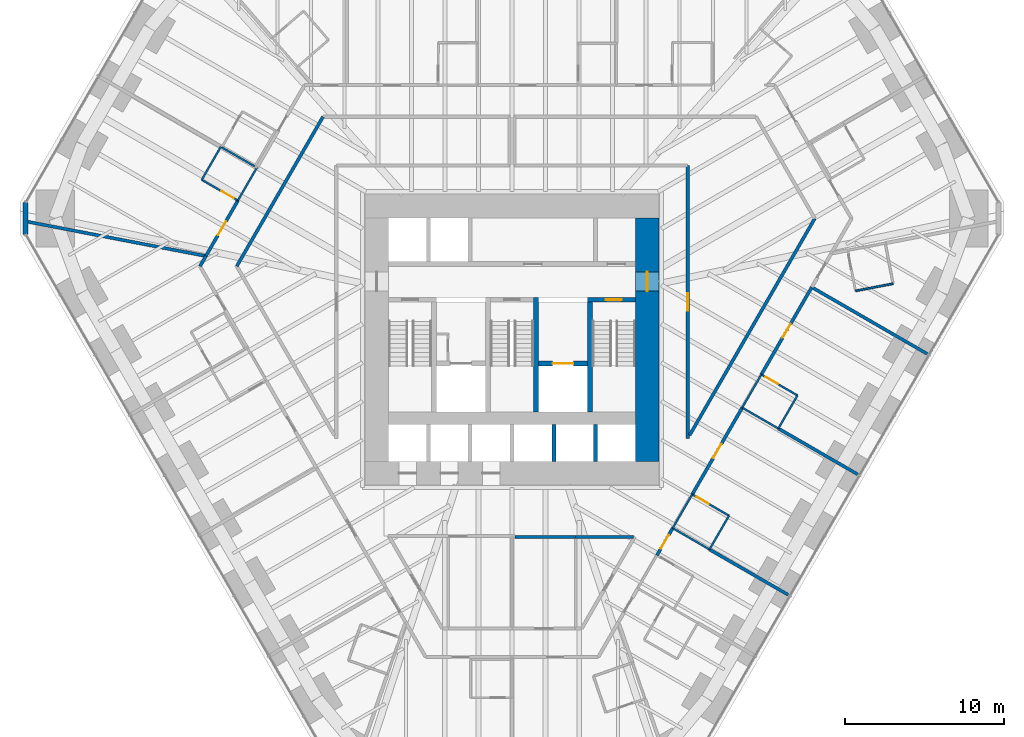
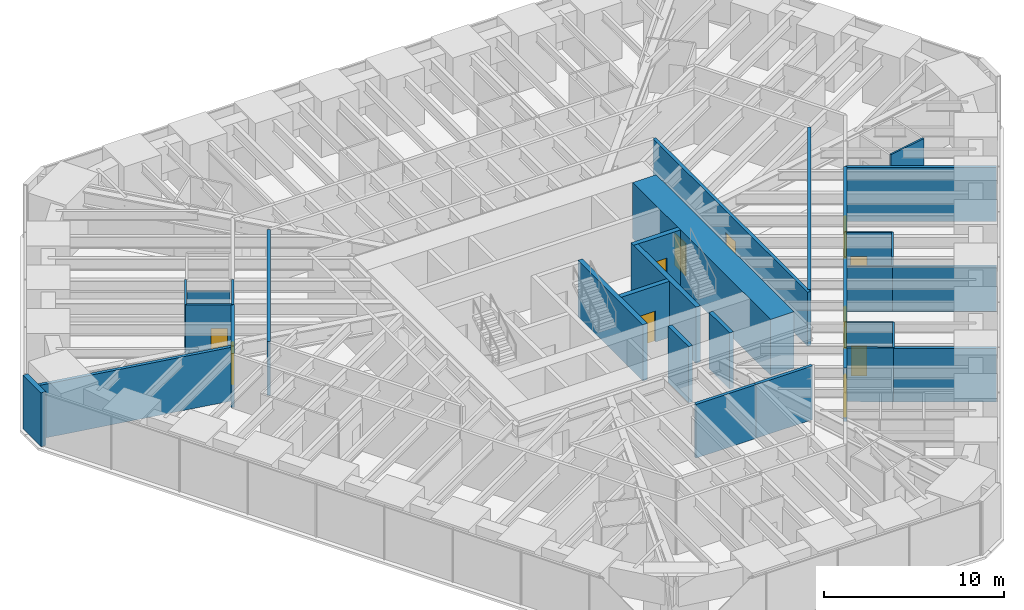
# One storey, part 13 of 17: 35 walls, 11 doors, 11 openings.
"""IFC4 building model written with IfcOpenShell, lengths in metres."""

from ifc_helpers import new_model, si_unit, direction, frame, frame_2d, origin, place, context, subcontext, project, spatial, rectangle, extrude, material, layer, layer_set, type_object, element, fill, save


model = new_model("IFC4")

# Units and contexts
model_context = context("Model", 3, precision=1e-05, world=origin(), true_north=direction((0.0, 1.0)))
body_context = subcontext(model_context, "Body", "Model", "MODEL_VIEW")
ifc_project = project(units=[si_unit("LENGTHUNIT", "METRE"), si_unit("AREAUNIT", "SQUARE_METRE"), si_unit("VOLUMEUNIT", "CUBIC_METRE"), si_unit("PLANEANGLEUNIT", "RADIAN"), si_unit("MASSUNIT", "GRAM", prefix="KILO")], contexts=[model_context])

# Site, building, storey
site_placement = place(None, origin())
site = spatial("IfcSite", under=ifc_project, at=site_placement, CompositionType="ELEMENT")
building_placement = place(site_placement, origin())
building = spatial("IfcBuilding", under=site, at=building_placement, Name="Sandreach Pilgrim Tower", CompositionType="ELEMENT")
storey_placement = place(building_placement, frame((0.0, 0.0, 34.39990234375)))
storey = spatial("IfcBuildingStorey", under=building, at=storey_placement, Name="L07", CompositionType="ELEMENT", Elevation=34.39990234375)

# Wall, opening, door
ifc_material_1 = material(Name="Moisture-resistant gypsum board on steel studs", Category="steel")
ifc_layer_1 = layer(ifc_material_1, 0.1201171875)
ifc_layer_set_1 = layer_set([ifc_layer_1], Name="Bathroom partition 120")
wall_type_1 = type_object("IfcWallType", Name="Bathroom partition 120", PredefinedType="PARTITIONING", material=ifc_layer_set_1)
wall_1_placement = place(storey_placement, frame((-19.5, 8.489990234375, 0.0), z_axis=(0.0, 0.0, 1.0), x_axis=(0.866114241029, -0.499846097802, 0.0)))
wall_1 = element("IfcWall", 1, at=wall_1_placement, inside=storey, type_object=wall_type_1, Name="Bathroom partition L07-009", PredefinedType="PARTITIONING", context=body_context, shape_type="SweptSolid", body=[
    extrude(rectangle(XDim=2.620849609375, YDim=0.1201171875, at=frame_2d((1.310546875, 0.0))), origin(), (0.0, 0.0, 1.0), 3.64013671875),
])
opening_1_placement = place(wall_1_placement, frame((1.4208984375, 0.0, 0.0)))
opening_1 = element("IfcOpeningElement", 2, at=opening_1_placement, cuts=wall_1, Name="Opening D09-18B", PredefinedType="OPENING", context=body_context, shape_type="SweptSolid", body=[
    extrude(rectangle(XDim=0.89990234375, YDim=2.030029296875, at=frame_2d((0.449951171875, 1.01513671875))), frame((0.0, 0.06005859375, 0.0), z_axis=(0.0, -1.0, 0.0), x_axis=(1.0, 0.0, 0.0)), (0.0, 0.0, 1.0), 0.1201171875),
])
ifc_material_2 = material(Name="Timber door, steel frame", Category="steel")
door_type_1 = type_object("IfcDoorType", Name="Bathroom door", OperationType="SINGLE_SWING_LEFT", PredefinedType="DOOR", material=ifc_material_2)
door_1_placement = place(opening_1_placement, origin())
door_1 = element("IfcDoor", 3, at=door_1_placement, inside=storey, type_object=door_type_1, Name="Door 0718B", OperationType="SINGLE_SWING_RIGHT", OverallHeight=2.030029296875, OverallWidth=0.89990234375, PredefinedType="DOOR", context=body_context, shape_type="SweptSolid", body=[
    extrude(rectangle(XDim=0.89990234375, YDim=2.030029296875, at=frame_2d((0.449951171875, 1.01513671875))), frame((0.0, 0.02490234375, 0.0), z_axis=(0.0, -1.0, 0.0), x_axis=(1.0, 0.0, 0.0)), (0.0, 0.0, 1.0), 0.050048828125),
])
fill(opening_1, door_1)

# Walls
wall_2_placement = place(storey_placement, frame((-18.300048828125, 10.570068359375, 0.0), z_axis=(0.0, 0.0, 1.0), x_axis=(-0.499693115345, -0.866202511239, 0.0)))
element("IfcWall", 4, at=wall_2_placement, inside=storey, type_object=wall_type_1, Name="Bathroom partition L07-013", PredefinedType="PARTITIONING", context=body_context, shape_type="SweptSolid", body=[
    extrude(rectangle(XDim=2.4013671875, YDim=0.1201171875, at=frame_2d((1.20068359375, 0.0))), origin(), (0.0, 0.0, 1.0), 3.64013671875),
])
wall_3_placement = place(storey_placement, frame((-18.239990234375, 10.530029296875, 0.0), z_axis=(0.0, 0.0, 1.0), x_axis=(0.866202511239, -0.499693115345, 0.0)))
element("IfcWall", 5, at=wall_3_placement, inside=storey, type_object=wall_type_1, Name="Bathroom partition L07-014", PredefinedType="PARTITIONING", context=body_context, shape_type="SweptSolid", body=[
    extrude(rectangle(XDim=2.4013671875, YDim=0.1201171875, at=frame_2d((1.20068359375, 0.0))), origin(), (0.0, 0.0, 1.0), 2.8603515625),
])
wall_4_placement = place(storey_placement, frame((-17.23388671875, 7.182373046875, 0.0), z_axis=(0.0, 0.0, 1.0), x_axis=(0.500719628902, 0.865609526999, 0.0)))
element("IfcWall", 6, at=wall_4_placement, inside=storey, type_object=wall_type_1, Name="Bathroom partition L07-018", PredefinedType="PARTITIONING", context=body_context, shape_type="SweptSolid", body=[
    extrude(rectangle(XDim=2.4013671875, YDim=0.1201171875, at=frame_2d((1.20068359375, 0.0))), origin(), (0.0, 0.0, 1.0), 3.64013671875),
])
wall_5_placement = place(storey_placement, frame((10.10009765625, -13.39990234375, 0.0), z_axis=(0.0, 0.0, 1.0), x_axis=(0.501856726365, 0.86495076519, 0.0)))
element("IfcWall", 7, at=wall_5_placement, inside=storey, type_object=wall_type_1, Name="Bathroom partition L07-101", PredefinedType="PARTITIONING", context=body_context, shape_type="SweptSolid", body=[
    extrude(rectangle(XDim=2.450927734375, YDim=0.1201171875, at=frame_2d((1.2255859375, 0.0))), origin(), (0.0, 0.0, 1.0), 3.64013671875),
])
wall_6_placement = place(storey_placement, frame((10.10009765625, -13.39990234375, 0.0), z_axis=(0.0, 0.0, 1.0), x_axis=(0.864966903181, -0.501828911485, 0.0)))
element("IfcWall", 8, at=wall_6_placement, inside=storey, type_object=wall_type_1, Name="Bathroom partition L07-102", PredefinedType="PARTITIONING", context=body_context, shape_type="SweptSolid", body=[
    extrude(rectangle(XDim=2.67041015625, YDim=0.1201171875, at=frame_2d((1.335205078125, 0.0))), origin(), (0.0, 0.0, 1.0), 3.64013671875),
])
wall_7_placement = place(storey_placement, frame((12.409912109375, -14.739990234375, 0.0), z_axis=(0.0, 0.0, 1.0), x_axis=(0.501813488763, 0.864975850817, 0.0)))
element("IfcWall", 9, at=wall_7_placement, inside=storey, type_object=wall_type_1, Name="Bathroom partition L07-111", PredefinedType="PARTITIONING", context=body_context, shape_type="SweptSolid", body=[
    extrude(rectangle(XDim=2.451171875, YDim=0.1201171875, at=frame_2d((1.2255859375, 0.0))), origin(), (0.0, 0.0, 1.0), 3.64013671875),
])

# Wall, opening, door
wall_8_placement = place(storey_placement, frame((13.639892578125, -12.6201171875, 0.0), z_axis=(0.0, 0.0, 1.0), x_axis=(-0.864966903181, 0.501828911485, 0.0)))
wall_8 = element("IfcWall", 10, at=wall_8_placement, inside=storey, type_object=wall_type_1, Name="Bathroom partition L07-116", PredefinedType="PARTITIONING", context=body_context, shape_type="SweptSolid", body=[
    extrude(rectangle(XDim=2.67041015625, YDim=0.1201171875, at=frame_2d((1.335205078125, 0.0))), origin(), (0.0, 0.0, 1.0), 3.64013671875),
])
opening_2_placement = place(wall_8_placement, frame((1.470458984375, 0.0, 0.0)))
opening_2 = element("IfcOpeningElement", 11, at=opening_2_placement, cuts=wall_8, Name="Opening D09-09B", PredefinedType="OPENING", context=body_context, shape_type="SweptSolid", body=[
    extrude(rectangle(XDim=0.89990234375, YDim=2.030029296875, at=frame_2d((0.449951171875, 1.01513671875))), frame((0.0, 0.06005859375, 0.0), z_axis=(0.0, -1.0, 0.0), x_axis=(1.0, 0.0, 0.0)), (0.0, 0.0, 1.0), 0.1201171875),
])
door_2_placement = place(opening_2_placement, origin())
door_2 = element("IfcDoor", 12, at=door_2_placement, inside=storey, type_object=door_type_1, Name="Door 0709B", OperationType="SINGLE_SWING_RIGHT", OverallHeight=2.030029296875, OverallWidth=0.89990234375, PredefinedType="DOOR", context=body_context, shape_type="SweptSolid", body=[
    extrude(rectangle(XDim=0.89990234375, YDim=2.030029296875, at=frame_2d((0.449951171875, 1.01513671875))), frame((0.0, 0.02490234375, 0.0), z_axis=(0.0, -1.0, 0.0), x_axis=(1.0, 0.0, 0.0)), (0.0, 0.0, 1.0), 0.050048828125),
])
fill(opening_2, door_2)

# Walls
wall_9_placement = place(storey_placement, frame((14.469970703125, -5.830078125, 0.0), z_axis=(0.0, 0.0, 1.0), x_axis=(0.499693115345, 0.866202511239, 0.0)))
element("IfcWall", 13, at=wall_9_placement, inside=storey, type_object=wall_type_1, Name="Bathroom partition L07-118", PredefinedType="PARTITIONING", context=body_context, shape_type="SweptSolid", body=[
    extrude(rectangle(XDim=2.4013671875, YDim=0.1201171875, at=frame_2d((1.20068359375, 0.0))), origin(), (0.0, 0.0, 1.0), 3.64013671875),
])
wall_10_placement = place(storey_placement, frame((14.469970703125, -5.830078125, 0.0), z_axis=(0.0, 0.0, 1.0), x_axis=(0.866010296064, -0.500026166427, 0.0)))
element("IfcWall", 14, at=wall_10_placement, inside=storey, type_object=wall_type_1, Name="Bathroom partition L07-119", PredefinedType="PARTITIONING", context=body_context, shape_type="SweptSolid", body=[
    extrude(rectangle(XDim=2.620849609375, YDim=0.1201171875, at=frame_2d((1.310546875, 0.0))), origin(), (0.0, 0.0, 1.0), 3.02294921875),
])
wall_11_placement = place(storey_placement, frame((16.739990234375, -7.139892578125, 0.0), z_axis=(0.0, 0.0, 1.0), x_axis=(0.499737123639, 0.866177122335, 0.0)))
element("IfcWall", 15, at=wall_11_placement, inside=storey, type_object=wall_type_1, Name="Bathroom partition L07-128", PredefinedType="PARTITIONING", context=body_context, shape_type="SweptSolid", body=[
    extrude(rectangle(XDim=2.401123046875, YDim=0.1201171875, at=frame_2d((1.20068359375, 0.0))), origin(), (0.0, 0.0, 1.0), 3.64013671875),
])

# Wall, opening, door
wall_12_placement = place(storey_placement, frame((17.93994140625, -5.06005859375, 0.0), z_axis=(0.0, 0.0, 1.0), x_axis=(-0.866114241029, 0.499846097802, 0.0)))
wall_12 = element("IfcWall", 16, at=wall_12_placement, inside=storey, type_object=wall_type_1, Name="Bathroom partition L07-131", PredefinedType="PARTITIONING", context=body_context, shape_type="SweptSolid", body=[
    extrude(rectangle(XDim=2.620849609375, YDim=0.1201171875, at=frame_2d((1.310546875, 0.0))), origin(), (0.0, 0.0, 1.0), 3.64013671875),
])
opening_3_placement = place(wall_12_placement, frame((1.4208984375, 0.0, 0.0)))
opening_3 = element("IfcOpeningElement", 17, at=opening_3_placement, cuts=wall_12, Name="Opening D09-08B", PredefinedType="OPENING", context=body_context, shape_type="SweptSolid", body=[
    extrude(rectangle(XDim=0.89990234375, YDim=2.030029296875, at=frame_2d((0.449951171875, 1.01513671875))), frame((0.0, 0.06005859375, 0.0), z_axis=(0.0, -1.0, 0.0), x_axis=(1.0, 0.0, 0.0)), (0.0, 0.0, 1.0), 0.1201171875),
])
door_3_placement = place(opening_3_placement, origin())
door_3 = element("IfcDoor", 18, at=door_3_placement, inside=storey, type_object=door_type_1, Name="Door 0708B", OperationType="SINGLE_SWING_RIGHT", OverallHeight=2.030029296875, OverallWidth=0.89990234375, PredefinedType="DOOR", context=body_context, shape_type="SweptSolid", body=[
    extrude(rectangle(XDim=0.89990234375, YDim=2.030029296875, at=frame_2d((0.449951171875, 1.01513671875))), frame((0.0, 0.02490234375, 0.0), z_axis=(0.0, -1.0, 0.0), x_axis=(1.0, 0.0, 0.0)), (0.0, 0.0, 1.0), 0.050048828125),
])
fill(opening_3, door_3)

# Walls
wall_13_placement = place(storey_placement, frame((21.590087890625, 1.510009765625, 0.0), z_axis=(0.0, 0.0, 1.0), x_axis=(0.982303859288, 0.187294228499, 0.0)))
element("IfcWall", 19, at=wall_13_placement, inside=storey, type_object=wall_type_1, Name="Bathroom partition L07-144", PredefinedType="PARTITIONING", context=body_context, shape_type="SweptSolid", body=[
    extrude(rectangle(XDim=2.40234375, YDim=0.1201171875, at=frame_2d((1.201171875, 0.0))), origin(), (0.0, 0.0, 1.0), 3.64013671875),
])
ifc_material_3 = material(Name="Concrete 10000 psi", Category="concrete")
ifc_layer_2 = layer(ifc_material_3, 0.300048828125)
ifc_layer_set_2 = layer_set([ifc_layer_2], Name="Core inner wall 300")
wall_type_2 = type_object("IfcWallType", Name="Core inner wall 300", PredefinedType="SHEAR", material=ifc_layer_set_2)
for number, where, z_axis, x_axis, name in (
    (20, (1.5, -6.10009765625, 0.0), (0.0, 0.0, 1.0), (0.0, 1.0, 0.0), "Core wall I2 L07"),
    (21, (4.89990234375, -6.10009765625, 0.0), (0.0, 0.0, 1.0), (0.0, 1.0, 0.0), "Core wall I3 L07"),
):
    element("IfcWall", number, at=place(storey_placement, frame(where, z_axis=z_axis, x_axis=x_axis)), inside=storey, type_object=wall_type_2, Name=name, PredefinedType="SHEAR", context=body_context, shape_type="SweptSolid", body=[
        extrude(rectangle(XDim=7.2001953125, YDim=0.300048828125, at=frame_2d((3.60009765625, 0.0))), origin(), (0.0, 0.0, 1.0), 3.800048828125),
    ])

# Wall, opening, door
wall_14_placement = place(storey_placement, frame((4.75, 0.949951171875, 0.0), z_axis=(0.0, 0.0, 1.0), x_axis=(1.0, 0.0, 0.0)))
wall_14 = element("IfcWall", 22, at=wall_14_placement, inside=storey, type_object=wall_type_2, Name="Core wall SN2 L07", PredefinedType="SHEAR", context=body_context, shape_type="SweptSolid", body=[
    extrude(rectangle(XDim=3.0, YDim=0.300048828125, at=frame_2d((1.5, 0.0))), origin(), (0.0, 0.0, 1.0), 3.800048828125),
])
opening_4_placement = place(wall_14_placement, frame((1.14990234375, 0.0, 0.0)))
opening_4 = element("IfcOpeningElement", 23, at=opening_4_placement, cuts=wall_14, Name="Opening D10S-ST2", PredefinedType="OPENING", context=body_context, shape_type="SweptSolid", body=[
    extrude(rectangle(XDim=1.0, YDim=2.199951171875, at=frame_2d((0.5, 1.10009765625))), frame((0.0, 0.14990234375, 0.0), z_axis=(0.0, -1.0, 0.0), x_axis=(1.0, 0.0, 0.0)), (0.0, 0.0, 1.0), 0.300048828125),
])
ifc_material_4 = material(Name="Steel door and frame", Category="steel")
door_type_2 = type_object("IfcDoorType", Name="Stair door", OperationType="SINGLE_SWING_LEFT", PredefinedType="DOOR", material=ifc_material_4)
door_4_placement = place(opening_4_placement, origin())
door_4 = element("IfcDoor", 24, at=door_4_placement, inside=storey, type_object=door_type_2, Name="Stair door ST2 L07", OperationType="SINGLE_SWING_RIGHT", OverallHeight=2.199951171875, OverallWidth=1.0, PredefinedType="DOOR", context=body_context, shape_type="SweptSolid", body=[
    extrude(rectangle(XDim=1.0, YDim=2.199951171875, at=frame_2d((0.5, 1.10009765625))), frame((0.0, 0.02490234375, 0.0), z_axis=(0.0, -1.0, 0.0), x_axis=(1.0, 0.0, 0.0)), (0.0, 0.0, 1.0), 0.050048828125),
])
fill(opening_4, door_4)

wall_15_placement = place(storey_placement, frame((1.64990234375, -3.050048828125, 0.0), z_axis=(0.0, 0.0, 1.0), x_axis=(1.0, 0.0, 0.0)))
wall_15 = element("IfcWall", 25, at=wall_15_placement, inside=storey, type_object=wall_type_2, Name="Core wall FL2 L07", PredefinedType="SHEAR", context=body_context, shape_type="SweptSolid", body=[
    extrude(rectangle(XDim=3.10009765625, YDim=0.300048828125, at=frame_2d((1.550048828125, 0.0))), origin(), (0.0, 0.0, 1.0), 3.800048828125),
])
opening_5_placement = place(wall_15_placement, frame((0.89990234375, 0.0, 0.0)))
opening_5 = element("IfcOpeningElement", 26, at=opening_5_placement, cuts=wall_15, Name="Opening LD13", PredefinedType="OPENING", context=body_context, shape_type="SweptSolid", body=[
    extrude(rectangle(XDim=1.300048828125, YDim=2.10009765625, at=frame_2d((0.64990234375, 1.050048828125))), frame((0.0, 0.14990234375, 0.0), z_axis=(0.0, -1.0, 0.0), x_axis=(1.0, 0.0, 0.0)), (0.0, 0.0, 1.0), 0.300048828125),
])
ifc_material_5 = material(Name="Steel door and frame", Category="steel")
door_type_3 = type_object("IfcDoorType", Name="Fire service lift landing door", OperationType="DOUBLE_DOOR_SLIDING", PredefinedType="DOOR", material=ifc_material_5)
door_5_placement = place(opening_5_placement, origin())
door_5 = element("IfcDoor", 27, at=door_5_placement, inside=storey, type_object=door_type_3, Name="Lift landing door FS2 L07", OperationType="DOUBLE_DOOR_SLIDING", OverallHeight=2.10009765625, OverallWidth=1.300048828125, PredefinedType="DOOR", context=body_context, shape_type="SweptSolid", body=[
    extrude(rectangle(XDim=1.300048828125, YDim=2.10009765625, at=frame_2d((0.64990234375, 1.050048828125))), frame((0.0, 0.02490234375, 0.0), z_axis=(0.0, -1.0, 0.0), x_axis=(1.0, 0.0, 0.0)), (0.0, 0.0, 1.0), 0.050048828125),
])
fill(opening_5, door_5)

ifc_material_6 = material(Name="Concrete 10000 psi", Category="concrete")
ifc_layer_3 = layer(ifc_material_6, 1.5)
ifc_layer_set_3 = layer_set([ifc_layer_3], Name="Core wall 1500")
wall_type_3 = type_object("IfcWallType", Name="Core wall 1500", PredefinedType="SHEAR", material=ifc_layer_set_3)
wall_16_placement = place(storey_placement, frame((8.5, -9.199951171875, 0.0), z_axis=(0.0, 0.0, 1.0), x_axis=(0.0, 1.0, 0.0)))
wall_16 = element("IfcWall", 28, at=wall_16_placement, inside=storey, type_object=wall_type_3, Name="Core wall E L07", PredefinedType="SHEAR", context=body_context, shape_type="SweptSolid", body=[
    extrude(rectangle(XDim=15.300048828125, YDim=1.5, at=frame_2d((7.64990234375, 0.0))), origin(), (0.0, 0.0, 1.0), 3.800048828125),
])
opening_6_placement = place(wall_16_placement, frame((10.699951171875, 0.0, 0.0)))
opening_6 = element("IfcOpeningElement", 29, at=opening_6_placement, cuts=wall_16, Name="Opening D12F-E", PredefinedType="OPENING", context=body_context, shape_type="SweptSolid", body=[
    extrude(rectangle(XDim=1.199951171875, YDim=2.199951171875, at=frame_2d((0.60009765625, 1.10009765625))), frame((0.0, 0.75, 0.0), z_axis=(0.0, -1.0, 0.0), x_axis=(1.0, 0.0, 0.0)), (0.0, 0.0, 1.0), 1.5),
])
ifc_material_7 = material(Name="Steel door and frame", Category="steel")
door_type_4 = type_object("IfcDoorType", Name="Fire lobby door", OperationType="SINGLE_SWING_LEFT", PredefinedType="DOOR", material=ifc_material_7)
door_6_placement = place(opening_6_placement, origin())
door_6 = element("IfcDoor", 30, at=door_6_placement, inside=storey, type_object=door_type_4, Name="Fire service lobby door E L07", OperationType="SINGLE_SWING_RIGHT", OverallHeight=2.199951171875, OverallWidth=1.199951171875, PredefinedType="DOOR", context=body_context, shape_type="SweptSolid", body=[
    extrude(rectangle(XDim=1.199951171875, YDim=2.199951171875, at=frame_2d((0.60009765625, 1.10009765625))), frame((0.0, 0.02490234375, 0.0), z_axis=(0.0, -1.0, 0.0), x_axis=(1.0, 0.0, 0.0)), (0.0, 0.0, 1.0), 0.050048828125),
])
fill(opening_6, door_6)

# Wall
ifc_material_8 = material(Name="Gypsum board on steel studs, two layers each side", Category="steel")
ifc_layer_4 = layer(ifc_material_8, 0.199951171875)
ifc_layer_set_4 = layer_set([ifc_layer_4], Name="Corridor wall 200")
wall_type_4 = type_object("IfcWallType", Name="Corridor wall 200", PredefinedType="PARTITIONING", material=ifc_layer_set_4)
wall_17_placement = place(storey_placement, frame((-19.610107421875, 3.06005859375, 0.0), z_axis=(0.0, 0.0, 1.0), x_axis=(0.50068472101, 0.865629718844, 0.0)))
element("IfcWall", 31, at=wall_17_placement, inside=storey, type_object=wall_type_4, Name="Corridor wall L07-006", PredefinedType="PARTITIONING", context=body_context, shape_type="SweptSolid", body=[
    extrude(rectangle(XDim=0.7392578125, YDim=0.199951171875, at=frame_2d((0.36962890625, 0.0))), origin(), (0.0, 0.0, 1.0), 3.64013671875),
])

# Wall, opening, door
wall_18_placement = place(storey_placement, frame((-19.239990234375, 3.699951171875, 0.0), z_axis=(0.0, 0.0, 1.0), x_axis=(0.500157149565, 0.865934654428, 0.0)))
wall_18 = element("IfcWall", 32, at=wall_18_placement, inside=storey, type_object=wall_type_4, Name="Corridor wall L07-010", PredefinedType="PARTITIONING", context=body_context, shape_type="SweptSolid", body=[
    extrude(rectangle(XDim=4.018798828125, YDim=0.199951171875, at=frame_2d((2.00927734375, 0.0))), origin(), (0.0, 0.0, 1.0), 3.64013671875),
])
opening_7_placement = place(wall_18_placement, frame((1.509521484375, 0.0, 0.0)))
opening_7 = element("IfcOpeningElement", 33, at=opening_7_placement, cuts=wall_18, Name="Opening D10-18", PredefinedType="OPENING", context=body_context, shape_type="SweptSolid", body=[
    extrude(rectangle(XDim=1.0, YDim=2.1298828125, at=frame_2d((0.5, 1.06494140625))), frame((0.0, 0.10009765625, 0.0), z_axis=(0.0, -1.0, 0.0), x_axis=(1.0, 0.0, 0.0)), (0.0, 0.0, 1.0), 0.199951171875),
])
ifc_material_9 = material(Name="Steel door and frame", Category="steel")
door_type_5 = type_object("IfcDoorType", Name="Guest room entry door", OperationType="SINGLE_SWING_LEFT", PredefinedType="DOOR", material=ifc_material_9)
door_7_placement = place(opening_7_placement, origin())
door_7 = element("IfcDoor", 34, at=door_7_placement, inside=storey, type_object=door_type_5, Name="Door 0718", OperationType="SINGLE_SWING_LEFT", OverallHeight=2.1298828125, OverallWidth=1.0, PredefinedType="DOOR", context=body_context, shape_type="SweptSolid", body=[
    extrude(rectangle(XDim=1.0, YDim=2.1298828125, at=frame_2d((0.5, 1.06494140625))), frame((0.0, 0.02490234375, 0.0), z_axis=(0.0, -1.0, 0.0), x_axis=(1.0, 0.0, 0.0)), (0.0, 0.0, 1.0), 0.050048828125),
])
fill(opening_7, door_7)

# Walls
wall_19_placement = place(storey_placement, frame((-17.300048828125, 3.06005859375, 0.0), z_axis=(0.0, 0.0, 1.0), x_axis=(0.499924528042, 0.866068973155, 0.0)))
element("IfcWall", 35, at=wall_19_placement, inside=storey, type_object=wall_type_4, Name="Corridor wall L07-017", PredefinedType="PARTITIONING", context=body_context, shape_type="SweptSolid", body=[
    extrude(rectangle(XDim=10.842041015625, YDim=0.199951171875, at=frame_2d((5.4208984375, 0.0))), origin(), (0.0, 0.0, 1.0), 3.64013671875),
])
wall_20_placement = place(storey_placement, frame((0.179931640625, -13.949951171875, 0.0), z_axis=(0.0, 0.0, 1.0), x_axis=(1.0, 0.0, 0.0)))
element("IfcWall", 36, at=wall_20_placement, inside=storey, type_object=wall_type_4, Name="Corridor wall L07-072", PredefinedType="PARTITIONING", context=body_context, shape_type="SweptSolid", body=[
    extrude(rectangle(XDim=3.820068359375, YDim=0.199951171875, at=frame_2d((1.91015625, 0.0))), origin(), (0.0, 0.0, 1.0), 3.64013671875),
])
wall_21_placement = place(storey_placement, frame((4.0, -13.949951171875, 0.0), z_axis=(0.0, 0.0, 1.0), x_axis=(1.0, 0.0, 0.0)))
element("IfcWall", 37, at=wall_21_placement, inside=storey, type_object=wall_type_4, Name="Corridor wall L07-076", PredefinedType="PARTITIONING", context=body_context, shape_type="SweptSolid", body=[
    extrude(rectangle(XDim=3.635009765625, YDim=0.199951171875, at=frame_2d((1.8173828125, 0.0))), origin(), (0.0, 0.0, 1.0), 3.64013671875),
])

# Wall, opening, door
wall_22_placement = place(storey_placement, frame((9.110107421875, -15.110107421875, 0.0), z_axis=(0.0, 0.0, 1.0), x_axis=(0.500987568213, 0.865454479737, 0.0)))
wall_22 = element("IfcWall", 38, at=wall_22_placement, inside=storey, type_object=wall_type_4, Name="Corridor wall L07-096", PredefinedType="PARTITIONING", context=body_context, shape_type="SweptSolid", body=[
    extrude(rectangle(XDim=1.97607421875, YDim=0.199951171875, at=frame_2d((0.988037109375, 0.0))), origin(), (0.0, 0.0, 1.0), 3.64013671875),
])
opening_8_placement = place(wall_22_placement, frame((0.488037109375, 0.0, 0.0)))
opening_8 = element("IfcOpeningElement", 39, at=opening_8_placement, cuts=wall_22, Name="Opening D10-10", PredefinedType="OPENING", context=body_context, shape_type="SweptSolid", body=[
    extrude(rectangle(XDim=1.0, YDim=2.1298828125, at=frame_2d((0.5, 1.06494140625))), frame((0.0, 0.10009765625, 0.0), z_axis=(0.0, -1.0, 0.0), x_axis=(1.0, 0.0, 0.0)), (0.0, 0.0, 1.0), 0.199951171875),
])
door_8_placement = place(opening_8_placement, origin())
door_8 = element("IfcDoor", 40, at=door_8_placement, inside=storey, type_object=door_type_5, Name="Door 0710", OperationType="SINGLE_SWING_LEFT", OverallHeight=2.1298828125, OverallWidth=1.0, PredefinedType="DOOR", context=body_context, shape_type="SweptSolid", body=[
    extrude(rectangle(XDim=1.0, YDim=2.1298828125, at=frame_2d((0.5, 1.06494140625))), frame((0.0, 0.02490234375, 0.0), z_axis=(0.0, -1.0, 0.0), x_axis=(1.0, 0.0, 0.0)), (0.0, 0.0, 1.0), 0.050048828125),
])
fill(opening_8, door_8)

wall_23_placement = place(storey_placement, frame((11.050048828125, -7.760009765625, 0.0), z_axis=(0.0, 0.0, 1.0), x_axis=(0.0, 1.0, 0.0)))
wall_23 = element("IfcWall", 41, at=wall_23_placement, inside=storey, type_object=wall_type_4, Name="Corridor wall L07-107", PredefinedType="PARTITIONING", context=body_context, shape_type="SweptSolid", body=[
    extrude(rectangle(XDim=17.159912109375, YDim=0.199951171875, at=frame_2d((8.580078125, 0.0))), origin(), (0.0, 0.0, 1.0), 3.64013671875),
])
opening_9_placement = place(wall_23_placement, frame((8.030029296875, 0.0, 0.0)))
opening_9 = element("IfcOpeningElement", 42, at=opening_9_placement, cuts=wall_23, Name="Opening D11H-M2", PredefinedType="OPENING", context=body_context, shape_type="SweptSolid", body=[
    extrude(rectangle(XDim=1.10009765625, YDim=2.199951171875, at=frame_2d((0.550048828125, 1.10009765625))), frame((0.0, 0.10009765625, 0.0), z_axis=(0.0, -1.0, 0.0), x_axis=(1.0, 0.0, 0.0)), (0.0, 0.0, 1.0), 0.199951171875),
])
ifc_material_10 = material(Name="Steel door and frame", Category="steel")
door_type_6 = type_object("IfcDoorType", Name="Back of house door", OperationType="SINGLE_SWING_LEFT", PredefinedType="DOOR", material=ifc_material_10)
door_9_placement = place(opening_9_placement, origin())
door_9 = element("IfcDoor", 43, at=door_9_placement, inside=storey, type_object=door_type_6, Name="Door 07M2", OperationType="SINGLE_SWING_LEFT", OverallHeight=2.199951171875, OverallWidth=1.10009765625, PredefinedType="DOOR", context=body_context, shape_type="SweptSolid", body=[
    extrude(rectangle(XDim=1.10009765625, YDim=2.199951171875, at=frame_2d((0.550048828125, 1.10009765625))), frame((0.0, 0.02490234375, 0.0), z_axis=(0.0, -1.0, 0.0), x_axis=(1.0, 0.0, 0.0)), (0.0, 0.0, 1.0), 0.050048828125),
])
fill(opening_9, door_9)

wall_24_placement = place(storey_placement, frame((11.330078125, -11.280029296875, 0.0), z_axis=(0.0, 0.0, 1.0), x_axis=(0.499208241022, 0.866482043724, 0.0)))
wall_24 = element("IfcWall", 44, at=wall_24_placement, inside=storey, type_object=wall_type_4, Name="Corridor wall L07-108", PredefinedType="PARTITIONING", context=body_context, shape_type="SweptSolid", body=[
    extrude(rectangle(XDim=6.289794921875, YDim=0.199951171875, at=frame_2d((3.14501953125, 0.0))), origin(), (0.0, 0.0, 1.0), 3.64013671875),
])
opening_10_placement = place(wall_24_placement, frame((2.64501953125, 0.0, 0.0)))
opening_10 = element("IfcOpeningElement", 45, at=opening_10_placement, cuts=wall_24, Name="Opening D10-09", PredefinedType="OPENING", context=body_context, shape_type="SweptSolid", body=[
    extrude(rectangle(XDim=1.0, YDim=2.1298828125, at=frame_2d((0.5, 1.06494140625))), frame((0.0, 0.10009765625, 0.0), z_axis=(0.0, -1.0, 0.0), x_axis=(1.0, 0.0, 0.0)), (0.0, 0.0, 1.0), 0.199951171875),
])
door_10_placement = place(opening_10_placement, origin())
door_10 = element("IfcDoor", 46, at=door_10_placement, inside=storey, type_object=door_type_5, Name="Door 0709", OperationType="SINGLE_SWING_LEFT", OverallHeight=2.1298828125, OverallWidth=1.0, PredefinedType="DOOR", context=body_context, shape_type="SweptSolid", body=[
    extrude(rectangle(XDim=1.0, YDim=2.1298828125, at=frame_2d((0.5, 1.06494140625))), frame((0.0, 0.02490234375, 0.0), z_axis=(0.0, -1.0, 0.0), x_axis=(1.0, 0.0, 0.0)), (0.0, 0.0, 1.0), 0.050048828125),
])
fill(opening_10, door_10)

wall_25_placement = place(storey_placement, frame((15.669921875, -3.75, 0.0), z_axis=(0.0, 0.0, 1.0), x_axis=(0.500061360627, 0.865989974311, 0.0)))
wall_25 = element("IfcWall", 47, at=wall_25_placement, inside=storey, type_object=wall_type_4, Name="Corridor wall L07-122", PredefinedType="PARTITIONING", context=body_context, shape_type="SweptSolid", body=[
    extrude(rectangle(XDim=6.339599609375, YDim=0.199951171875, at=frame_2d((3.169921875, 0.0))), origin(), (0.0, 0.0, 1.0), 3.64013671875),
])
opening_11_placement = place(wall_25_placement, frame((2.669921875, 0.0, 0.0)))
opening_11 = element("IfcOpeningElement", 48, at=opening_11_placement, cuts=wall_25, Name="Opening D10-08", PredefinedType="OPENING", context=body_context, shape_type="SweptSolid", body=[
    extrude(rectangle(XDim=1.0, YDim=2.1298828125, at=frame_2d((0.5, 1.06494140625))), frame((0.0, 0.10009765625, 0.0), z_axis=(0.0, -1.0, 0.0), x_axis=(1.0, 0.0, 0.0)), (0.0, 0.0, 1.0), 0.199951171875),
])
door_11_placement = place(opening_11_placement, origin())
door_11 = element("IfcDoor", 49, at=door_11_placement, inside=storey, type_object=door_type_5, Name="Door 0708", OperationType="SINGLE_SWING_LEFT", OverallHeight=2.1298828125, OverallWidth=1.0, PredefinedType="DOOR", context=body_context, shape_type="SweptSolid", body=[
    extrude(rectangle(XDim=1.0, YDim=2.1298828125, at=frame_2d((0.5, 1.06494140625))), frame((0.0, 0.02490234375, 0.0), z_axis=(0.0, -1.0, 0.0), x_axis=(1.0, 0.0, 0.0)), (0.0, 0.0, 1.0), 0.050048828125),
])
fill(opening_11, door_11)

# Walls
wall_26_placement = place(storey_placement, frame((19.030029296875, 6.06005859375, 0.0), z_axis=(0.0, 0.0, 1.0), x_axis=(-0.500049636372, -0.865996744315, 0.0)))
element("IfcWall", 50, at=wall_26_placement, inside=storey, type_object=wall_type_4, Name="Corridor wall L07-137", PredefinedType="PARTITIONING", context=body_context, shape_type="SweptSolid", body=[
    extrude(rectangle(XDim=15.73876953125, YDim=0.199951171875, at=frame_2d((7.869384765625, 0.0))), origin(), (0.0, 0.0, 1.0), 3.64013671875),
])
ifc_material_11 = material(Name="Double steel stud acoustic wall, gypsum board", Category="steel")
ifc_layer_5 = layer(ifc_material_11, 0.199951171875)
ifc_layer_set_5 = layer_set([ifc_layer_5], Name="Party wall 200")
wall_type_5 = type_object("IfcWallType", Name="Party wall 200", PredefinedType="PARTITIONING", material=ifc_layer_set_5)
wall_27_placement = place(storey_placement, frame((-30.590576171875, 5.88427734375, 0.0), z_axis=(0.0, 0.0, 1.0), x_axis=(0.981983289605, -0.188967772219, 0.0)))
element("IfcWall", 51, at=wall_27_placement, inside=storey, type_object=wall_type_5, Name="Party wall L07-001", PredefinedType="PARTITIONING", context=body_context, shape_type="SweptSolid", body=[
    extrude(rectangle(XDim=11.5087890625, YDim=0.199951171875, at=frame_2d((5.75439453125, 0.0))), origin(), (0.0, 0.0, 1.0), 3.64013671875),
])
wall_28_placement = place(storey_placement, frame((16.73974609375, -7.140625, 0.0), z_axis=(0.0, 0.0, 1.0), x_axis=(0.865985044037, -0.500069898618, 0.0)))
element("IfcWall", 52, at=wall_28_placement, inside=storey, type_object=wall_type_5, Name="Party wall L07-127", PredefinedType="PARTITIONING", context=body_context, shape_type="SweptSolid", body=[
    extrude(rectangle(XDim=5.758056640625, YDim=0.199951171875, at=frame_2d((2.87890625, 0.0))), origin(), (0.0, 0.0, 1.0), 3.02294921875),
])
wall_29_placement = place(storey_placement, frame((17.35595703125, -17.590087890625, 0.0), z_axis=(0.0, 0.0, 1.0), x_axis=(-0.866442508333, 0.499276856818, 0.0)))
element("IfcWall", 53, at=wall_29_placement, inside=storey, type_object=wall_type_5, Name="Party wall L07-129", PredefinedType="PARTITIONING", context=body_context, shape_type="SweptSolid", body=[
    extrude(rectangle(XDim=5.70849609375, YDim=0.199951171875, at=frame_2d((2.854248046875, 0.0))), origin(), (0.0, 0.0, 1.0), 3.64013671875),
])
wall_30_placement = place(storey_placement, frame((26.09619140625, -2.449951171875, 0.0), z_axis=(0.0, 0.0, 1.0), x_axis=(-0.866002919298, 0.500038942252, 0.0)))
element("IfcWall", 54, at=wall_30_placement, inside=storey, type_object=wall_type_5, Name="Party wall L07-148", PredefinedType="PARTITIONING", context=body_context, shape_type="SweptSolid", body=[
    extrude(rectangle(XDim=8.368896484375, YDim=0.199951171875, at=frame_2d((4.1845703125, 0.0))), origin(), (0.0, 0.0, 1.0), 3.64013671875),
])
ifc_material_12 = material(Name="Gypsum shaft wall on steel studs, two layers of shaft liner board", Category="steel")
ifc_layer_6 = layer(ifc_material_12, 0.25)
ifc_layer_set_6 = layer_set([ifc_layer_6], Name="Shaft partition 250")
wall_type_6 = type_object("IfcWallType", Name="Shaft partition 250", PredefinedType="PARTITIONING", material=ifc_layer_set_6)
for number, where, z_axis, x_axis, name in (
    (55, (2.625, -9.199951171875, 0.0), (0.0, 0.0, 1.0), (0.0, 1.0, 0.0), "Shaft partition XS3 L07"),
    (56, (5.25, -9.199951171875, 0.0), (0.0, 0.0, 1.0), (0.0, 1.0, 0.0), "Shaft partition XS4 L07"),
):
    element("IfcWall", number, at=place(storey_placement, frame(where, z_axis=z_axis, x_axis=x_axis)), inside=storey, type_object=wall_type_6, Name=name, PredefinedType="PARTITIONING", context=body_context, shape_type="SweptSolid", body=[
        extrude(rectangle(XDim=2.300048828125, YDim=0.25, at=frame_2d((1.14990234375, 0.0))), origin(), (0.0, 0.0, 1.0), 3.800048828125),
    ])
ifc_material_13 = material(Name="Terracotta rainscreen on concrete", Category="masonry")
ifc_layer_7 = layer(ifc_material_13, 0.300048828125)
ifc_layer_set_7 = layer_set([ifc_layer_7], Name="Terracotta chamfer pier")
wall_type_7 = type_object("IfcWallType", Name="Terracotta chamfer pier", PredefinedType="SOLIDWALL", material=ifc_layer_set_7)
wall_31_placement = place(storey_placement, frame((-30.576171875, 5.062255859375, 0.0), z_axis=(0.0, 0.0, 1.0), x_axis=(0.0, 1.0, 0.0)))
element("IfcWall", 57, at=wall_31_placement, inside=storey, type_object=wall_type_7, Name="Chamfer pier L07 SW", PredefinedType="SOLIDWALL", context=body_context, shape_type="SweptSolid", body=[
    extrude(rectangle(XDim=2.0, YDim=0.300048828125, at=frame_2d((1.0, 0.0))), origin(), (0.0, 0.0, 1.0), 3.64013671875),
])

save(model, "model.ifc")
